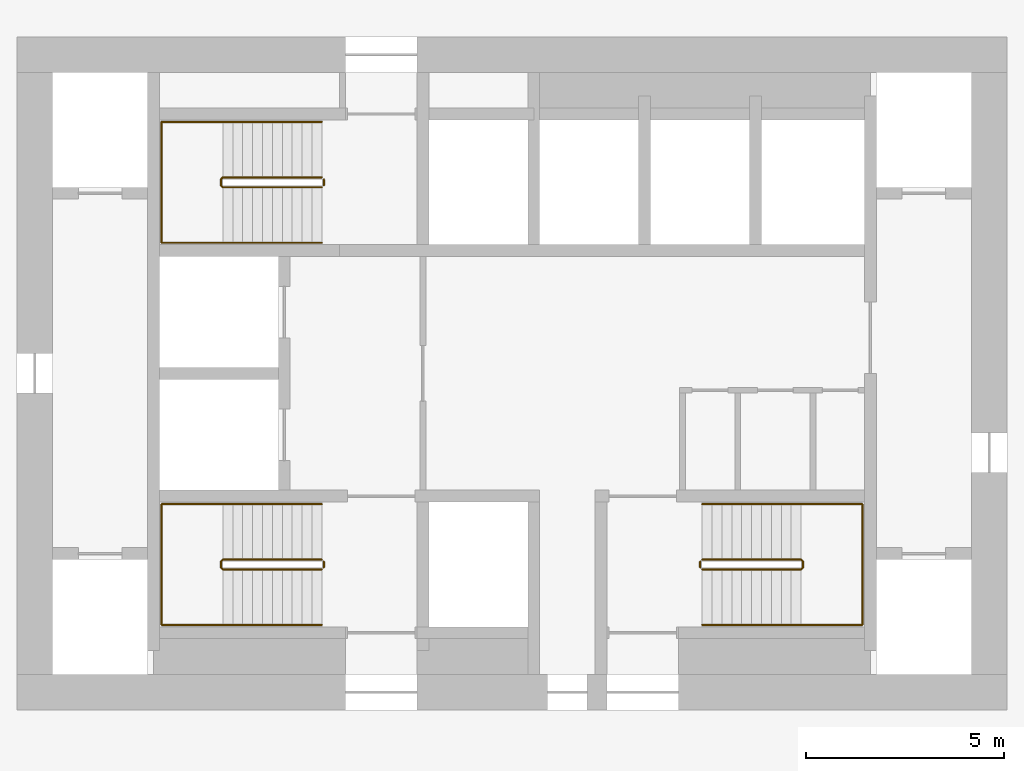
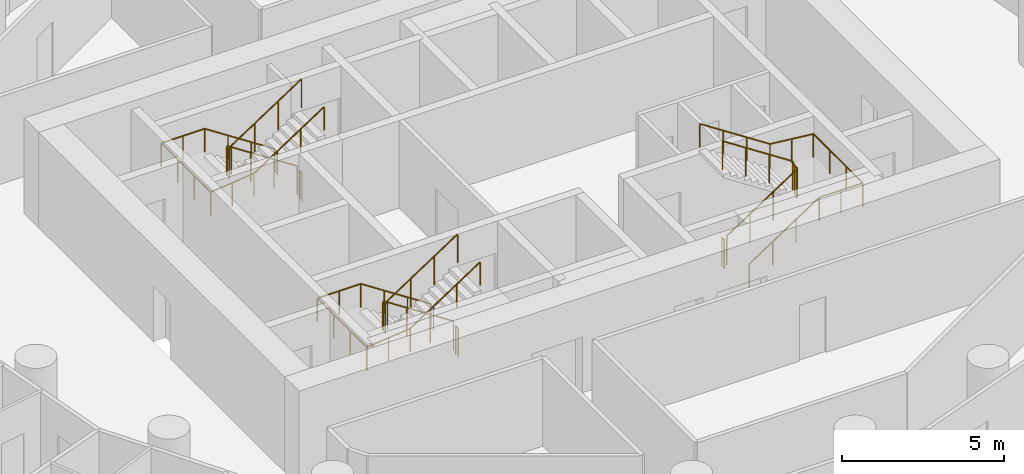
# One storey, part 9 of 9: 9 railings.
"""IFC4 building model written with IfcOpenShell, lengths in metres."""

from ifc_helpers import new_model, si_unit, direction, frame, origin, origin_2d, place, context, subcontext, project, spatial, circle, extrude, material, type_object, element, save


model = new_model("IFC4")

# Units and contexts
model_context = context("Model", 3, precision=1e-05, world=origin(), true_north=direction((0.0, 1.0)))
body_context = subcontext(model_context, "Body", "Model", "MODEL_VIEW")
ifc_project = project(units=[si_unit("LENGTHUNIT", "METRE"), si_unit("AREAUNIT", "SQUARE_METRE"), si_unit("VOLUMEUNIT", "CUBIC_METRE"), si_unit("PLANEANGLEUNIT", "RADIAN"), si_unit("MASSUNIT", "GRAM", prefix="KILO")], contexts=[model_context])

# Site, building, storey
site_placement = place(None, origin())
site = spatial("IfcSite", under=ifc_project, at=site_placement, CompositionType="ELEMENT")
building_placement = place(site_placement, origin())
building = spatial("IfcBuilding", under=site, at=building_placement, Name="Tracery Tower", CompositionType="ELEMENT")
storey_placement = place(building_placement, frame((0.0, 0.0, 208.800048828125)))
storey = spatial("IfcBuildingStorey", under=building, at=storey_placement, Name="L54", CompositionType="ELEMENT", Elevation=208.800048828125)

# Railings
ifc_material_1 = material(Name="Stainless steel and laminated glass", Category="steel")
railing_type_1 = type_object("IfcRailingType", Name="Stair guard 1100", PredefinedType="GUARDRAIL", material=ifc_material_1)
railing_1_placement = place(storey_placement, frame((-4.800048828125, -4.699951171875, 0.16357421875)))
element("IfcRailing", 1, at=railing_1_placement, inside=storey, type_object=railing_type_1, Name="L54 stair ST1 guard 1", PredefinedType="GUARDRAIL", context=body_context, shape_type="SweptSolid", body=[
    extrude(circle(Radius=0.02392578125, at=origin_2d()), frame((0.0, 0.0, 1.076171875), z_axis=(-0.83668449804, 0.0, 0.54768517484), x_axis=(0.0, -1.0, 0.0)), (0.0, 0.0, 1.0), 2.988037109375),
    extrude(circle(Radius=0.02392578125, at=origin_2d()), frame((-2.5, 0.0, 2.71240234375), z_axis=(-0.707106781187, -0.707106781187, 0.0), x_axis=(0.707106781187, -0.707106781187, 0.0)), (0.0, 0.0, 1.0), 0.07080078125),
    extrude(circle(Radius=0.02392578125, at=origin_2d()), frame((-2.550048828125, -0.050048828125, 2.71240234375), z_axis=(0.0, -1.0, 0.0), x_axis=(1.0, 0.0, 0.0)), (0.0, 0.0, 1.0), 0.14990234375),
    extrude(circle(Radius=0.02392578125, at=origin_2d()), frame((-2.550048828125, -0.199951171875, 2.71240234375), z_axis=(0.280808744504, -0.280808744504, 0.917765164963), x_axis=(0.707106781187, 0.707106781187, 0.0)), (0.0, 0.0, 1.0), 0.17822265625),
    extrude(circle(Radius=0.02392578125, at=origin_2d()), frame((-2.5, -0.25, 2.8759765625), z_axis=(0.836721939367, 0.0, 0.547627972425), x_axis=(0.0, 1.0, 0.0)), (0.0, 0.0, 1.0), 2.98779296875),
    extrude(circle(Radius=0.02099609375, at=origin_2d()), origin(), (0.0, 0.0, 1.0), 1.052001953125),
    extrude(circle(Radius=0.02099609375, at=origin_2d()), frame((-0.833251953125, 0.0, 0.54541015625)), (0.0, 0.0, 1.0), 1.052001953125),
    extrude(circle(Radius=0.02099609375, at=origin_2d()), frame((-1.666748046875, 0.0, 1.091064453125)), (0.0, 0.0, 1.0), 1.052001953125),
    extrude(circle(Radius=0.02099609375, at=origin_2d()), frame((-2.5, 0.0, 1.636474609375)), (0.0, 0.0, 1.0), 1.052001953125),
    extrude(circle(Radius=0.02099609375, at=origin_2d()), frame((-2.550048828125, -0.050048828125, 1.636474609375)), (0.0, 0.0, 1.0), 1.052001953125),
    extrude(circle(Radius=0.02099609375, at=origin_2d()), frame((-2.550048828125, -0.199951171875, 1.636474609375)), (0.0, 0.0, 1.0), 1.052001953125),
    extrude(circle(Radius=0.02099609375, at=origin_2d()), frame((-2.5, -0.25, 1.800048828125)), (0.0, 0.0, 1.0), 1.052001953125),
    extrude(circle(Radius=0.02099609375, at=origin_2d()), frame((-1.666748046875, -0.25, 2.345458984375)), (0.0, 0.0, 1.0), 1.052001953125),
    extrude(circle(Radius=0.02099609375, at=origin_2d()), frame((-0.833251953125, -0.25, 2.890869140625)), (0.0, 0.0, 1.0), 1.052001953125),
    extrude(circle(Radius=0.02099609375, at=origin_2d()), frame((0.0, -0.25, 3.436279296875)), (0.0, 0.0, 1.0), 1.052001953125),
])
railing_2_placement = place(storey_placement, frame((-4.75, -4.75, 0.0)))
element("IfcRailing", 2, at=railing_2_placement, inside=storey, type_object=railing_type_1, Name="L54 stair ST1 guard 2", PredefinedType="GUARDRAIL", context=body_context, shape_type="SweptSolid", body=[
    extrude(circle(Radius=0.02392578125, at=origin_2d()), frame((0.0, 0.0, 1.076171875), z_axis=(0.0, -1.0, 0.0), x_axis=(1.0, 0.0, 0.0)), (0.0, 0.0, 1.0), 0.14990234375),
    extrude(circle(Radius=0.02099609375, at=origin_2d()), origin(), (0.0, 0.0, 1.0), 1.052001953125),
    extrude(circle(Radius=0.02099609375, at=origin_2d()), frame((0.0, -0.14990234375, 0.0)), (0.0, 0.0, 1.0), 1.052001953125),
])
railing_3_placement = place(storey_placement, frame((-4.800048828125, 4.949951171875, 0.16357421875)))
element("IfcRailing", 3, at=railing_3_placement, inside=storey, type_object=railing_type_1, Name="L54 stair ST3 guard 1", PredefinedType="GUARDRAIL", context=body_context, shape_type="SweptSolid", body=[
    extrude(circle(Radius=0.02392578125, at=origin_2d()), frame((0.0, 0.0, 1.076171875), z_axis=(-0.83668449804, 0.0, 0.54768517484), x_axis=(0.0, -1.0, 0.0)), (0.0, 0.0, 1.0), 2.988037109375),
    extrude(circle(Radius=0.02392578125, at=origin_2d()), frame((-2.5, 0.0, 2.71240234375), z_axis=(-0.707106781187, -0.707106781187, 0.0), x_axis=(0.707106781187, -0.707106781187, 0.0)), (0.0, 0.0, 1.0), 0.07080078125),
    extrude(circle(Radius=0.02392578125, at=origin_2d()), frame((-2.550048828125, -0.050048828125, 2.71240234375), z_axis=(0.0, -1.0, 0.0), x_axis=(1.0, 0.0, 0.0)), (0.0, 0.0, 1.0), 0.14990234375),
    extrude(circle(Radius=0.02392578125, at=origin_2d()), frame((-2.550048828125, -0.199951171875, 2.71240234375), z_axis=(0.280808744504, -0.280808744504, 0.917765164963), x_axis=(0.707106781187, 0.707106781187, 0.0)), (0.0, 0.0, 1.0), 0.17822265625),
    extrude(circle(Radius=0.02392578125, at=origin_2d()), frame((-2.5, -0.25, 2.8759765625), z_axis=(0.836721939367, 0.0, 0.547627972425), x_axis=(0.0, 1.0, 0.0)), (0.0, 0.0, 1.0), 2.98779296875),
    extrude(circle(Radius=0.02099609375, at=origin_2d()), origin(), (0.0, 0.0, 1.0), 1.052001953125),
    extrude(circle(Radius=0.02099609375, at=origin_2d()), frame((-0.833251953125, 0.0, 0.54541015625)), (0.0, 0.0, 1.0), 1.052001953125),
    extrude(circle(Radius=0.02099609375, at=origin_2d()), frame((-1.666748046875, 0.0, 1.091064453125)), (0.0, 0.0, 1.0), 1.052001953125),
    extrude(circle(Radius=0.02099609375, at=origin_2d()), frame((-2.5, 0.0, 1.636474609375)), (0.0, 0.0, 1.0), 1.052001953125),
    extrude(circle(Radius=0.02099609375, at=origin_2d()), frame((-2.550048828125, -0.050048828125, 1.636474609375)), (0.0, 0.0, 1.0), 1.052001953125),
    extrude(circle(Radius=0.02099609375, at=origin_2d()), frame((-2.550048828125, -0.199951171875, 1.636474609375)), (0.0, 0.0, 1.0), 1.052001953125),
    extrude(circle(Radius=0.02099609375, at=origin_2d()), frame((-2.5, -0.25, 1.800048828125)), (0.0, 0.0, 1.0), 1.052001953125),
    extrude(circle(Radius=0.02099609375, at=origin_2d()), frame((-1.666748046875, -0.25, 2.345458984375)), (0.0, 0.0, 1.0), 1.052001953125),
    extrude(circle(Radius=0.02099609375, at=origin_2d()), frame((-0.833251953125, -0.25, 2.890869140625)), (0.0, 0.0, 1.0), 1.052001953125),
    extrude(circle(Radius=0.02099609375, at=origin_2d()), frame((0.0, -0.25, 3.436279296875)), (0.0, 0.0, 1.0), 1.052001953125),
])
railing_4_placement = place(storey_placement, frame((-4.75, 4.89990234375, 0.0)))
element("IfcRailing", 4, at=railing_4_placement, inside=storey, type_object=railing_type_1, Name="L54 stair ST3 guard 2", PredefinedType="GUARDRAIL", context=body_context, shape_type="SweptSolid", body=[
    extrude(circle(Radius=0.02392578125, at=origin_2d()), frame((0.0, 0.0, 1.076171875), z_axis=(0.0, -1.0, 0.0), x_axis=(1.0, 0.0, 0.0)), (0.0, 0.0, 1.0), 0.14990234375),
    extrude(circle(Radius=0.02099609375, at=origin_2d()), origin(), (0.0, 0.0, 1.0), 1.052001953125),
    extrude(circle(Radius=0.02099609375, at=origin_2d()), frame((0.0, -0.14990234375, 0.0)), (0.0, 0.0, 1.0), 1.052001953125),
])
railing_5_placement = place(storey_placement, frame((4.800048828125, -4.949951171875, 0.16357421875)))
element("IfcRailing", 5, at=railing_5_placement, inside=storey, type_object=railing_type_1, Name="L54 stair ST2 guard 1", PredefinedType="GUARDRAIL", context=body_context, shape_type="SweptSolid", body=[
    extrude(circle(Radius=0.02392578125, at=origin_2d()), frame((0.0, 0.0, 1.076171875), z_axis=(0.83668449804, 0.0, 0.54768517484), x_axis=(0.0, 1.0, 0.0)), (0.0, 0.0, 1.0), 2.988037109375),
    extrude(circle(Radius=0.02392578125, at=origin_2d()), frame((2.5, 0.0, 2.71240234375), z_axis=(0.707106781187, 0.707106781187, 0.0), x_axis=(-0.707106781187, 0.707106781187, 0.0)), (0.0, 0.0, 1.0), 0.07080078125),
    extrude(circle(Radius=0.02392578125, at=origin_2d()), frame((2.550048828125, 0.050048828125, 2.71240234375), z_axis=(0.0, 1.0, 0.0), x_axis=(-1.0, 0.0, 0.0)), (0.0, 0.0, 1.0), 0.14990234375),
    extrude(circle(Radius=0.02392578125, at=origin_2d()), frame((2.550048828125, 0.199951171875, 2.71240234375), z_axis=(-0.280808744504, 0.280808744504, 0.917765164963), x_axis=(-0.707106781187, -0.707106781187, 0.0)), (0.0, 0.0, 1.0), 0.17822265625),
    extrude(circle(Radius=0.02392578125, at=origin_2d()), frame((2.5, 0.25, 2.8759765625), z_axis=(-0.836721939367, 0.0, 0.547627972425), x_axis=(0.0, -1.0, 0.0)), (0.0, 0.0, 1.0), 2.98779296875),
    extrude(circle(Radius=0.02099609375, at=origin_2d()), origin(), (0.0, 0.0, 1.0), 1.052001953125),
    extrude(circle(Radius=0.02099609375, at=origin_2d()), frame((0.833251953125, 0.0, 0.54541015625)), (0.0, 0.0, 1.0), 1.052001953125),
    extrude(circle(Radius=0.02099609375, at=origin_2d()), frame((1.666748046875, 0.0, 1.091064453125)), (0.0, 0.0, 1.0), 1.052001953125),
    extrude(circle(Radius=0.02099609375, at=origin_2d()), frame((2.5, 0.0, 1.636474609375)), (0.0, 0.0, 1.0), 1.052001953125),
    extrude(circle(Radius=0.02099609375, at=origin_2d()), frame((2.550048828125, 0.050048828125, 1.636474609375)), (0.0, 0.0, 1.0), 1.052001953125),
    extrude(circle(Radius=0.02099609375, at=origin_2d()), frame((2.550048828125, 0.199951171875, 1.636474609375)), (0.0, 0.0, 1.0), 1.052001953125),
    extrude(circle(Radius=0.02099609375, at=origin_2d()), frame((2.5, 0.25, 1.800048828125)), (0.0, 0.0, 1.0), 1.052001953125),
    extrude(circle(Radius=0.02099609375, at=origin_2d()), frame((1.666748046875, 0.25, 2.345458984375)), (0.0, 0.0, 1.0), 1.052001953125),
    extrude(circle(Radius=0.02099609375, at=origin_2d()), frame((0.833251953125, 0.25, 2.890869140625)), (0.0, 0.0, 1.0), 1.052001953125),
    extrude(circle(Radius=0.02099609375, at=origin_2d()), frame((0.0, 0.25, 3.436279296875)), (0.0, 0.0, 1.0), 1.052001953125),
])
railing_6_placement = place(storey_placement, frame((4.75, -4.89990234375, 0.0)))
element("IfcRailing", 6, at=railing_6_placement, inside=storey, type_object=railing_type_1, Name="L54 stair ST2 guard 2", PredefinedType="GUARDRAIL", context=body_context, shape_type="SweptSolid", body=[
    extrude(circle(Radius=0.02392578125, at=origin_2d()), frame((0.0, 0.0, 1.076171875), z_axis=(0.0, 1.0, 0.0), x_axis=(-1.0, 0.0, 0.0)), (0.0, 0.0, 1.0), 0.14990234375),
    extrude(circle(Radius=0.02099609375, at=origin_2d()), origin(), (0.0, 0.0, 1.0), 1.052001953125),
    extrude(circle(Radius=0.02099609375, at=origin_2d()), frame((0.0, 0.14990234375, 0.0)), (0.0, 0.0, 1.0), 1.052001953125),
])
ifc_material_2 = material(Name="Stainless steel and laminated glass", Category="steel")
railing_type_2 = type_object("IfcRailingType", Name="Stair handrail 900", PredefinedType="HANDRAIL", material=ifc_material_2)
railing_7_placement = place(storey_placement, frame((-4.800048828125, -3.300048828125, 0.16357421875)))
element("IfcRailing", 7, at=railing_7_placement, inside=storey, type_object=railing_type_2, Name="L54 stair ST1 handrail 1", PredefinedType="HANDRAIL", context=body_context, shape_type="SweptSolid", body=[
    extrude(circle(Radius=0.02392578125, at=origin_2d()), frame((0.0, 0.0, 0.8759765625), z_axis=(-0.83668449804, 0.0, 0.54768517484), x_axis=(0.0, -1.0, 0.0)), (0.0, 0.0, 1.0), 2.988037109375),
    extrude(circle(Radius=0.02392578125, at=origin_2d()), frame((-2.5, 0.0, 2.51220703125), z_axis=(-1.0, 0.0, 0.0), x_axis=(0.0, -1.0, 0.0)), (0.0, 0.0, 1.0), 1.550048828125),
    extrude(circle(Radius=0.02392578125, at=origin_2d()), frame((-4.050048828125, 0.0, 2.51220703125), z_axis=(0.0, -1.0, 0.0), x_axis=(1.0, 0.0, 0.0)), (0.0, 0.0, 1.0), 3.050048828125),
    extrude(circle(Radius=0.02392578125, at=origin_2d()), frame((-4.050048828125, -3.050048828125, 2.51220703125), z_axis=(0.994477953863, 0.0, 0.104945696817), x_axis=(0.0, 1.0, 0.0)), (0.0, 0.0, 1.0), 1.55859375),
    extrude(circle(Radius=0.02392578125, at=origin_2d()), frame((-2.5, -3.050048828125, 2.67578125), z_axis=(0.836721939367, 0.0, 0.547627972425), x_axis=(0.0, 1.0, 0.0)), (0.0, 0.0, 1.0), 2.98779296875),
    extrude(circle(Radius=0.02099609375, at=origin_2d()), origin(), (0.0, 0.0, 1.0), 0.851806640625),
    extrude(circle(Radius=0.02099609375, at=origin_2d()), frame((-0.833251953125, 0.0, 0.54541015625)), (0.0, 0.0, 1.0), 0.851806640625),
    extrude(circle(Radius=0.02099609375, at=origin_2d()), frame((-1.666748046875, 0.0, 1.091064453125)), (0.0, 0.0, 1.0), 0.851806640625),
    extrude(circle(Radius=0.02099609375, at=origin_2d()), frame((-2.5, 0.0, 1.636474609375)), (0.0, 0.0, 1.0), 0.851806640625),
    extrude(circle(Radius=0.02099609375, at=origin_2d()), frame((-3.27490234375, 0.0, 1.636474609375)), (0.0, 0.0, 1.0), 0.851806640625),
    extrude(circle(Radius=0.02099609375, at=origin_2d()), frame((-4.050048828125, 0.0, 1.636474609375)), (0.0, 0.0, 1.0), 0.851806640625),
    extrude(circle(Radius=0.02099609375, at=origin_2d()), frame((-4.050048828125, -1.0166015625, 1.636474609375)), (0.0, 0.0, 1.0), 0.851806640625),
    extrude(circle(Radius=0.02099609375, at=origin_2d()), frame((-4.050048828125, -2.033447265625, 1.636474609375)), (0.0, 0.0, 1.0), 0.851806640625),
    extrude(circle(Radius=0.02099609375, at=origin_2d()), frame((-4.050048828125, -3.050048828125, 1.636474609375)), (0.0, 0.0, 1.0), 0.851806640625),
    extrude(circle(Radius=0.02099609375, at=origin_2d()), frame((-3.27490234375, -3.050048828125, 1.71826171875)), (0.0, 0.0, 1.0), 0.851806640625),
    extrude(circle(Radius=0.02099609375, at=origin_2d()), frame((-2.5, -3.050048828125, 1.800048828125)), (0.0, 0.0, 1.0), 0.851806640625),
    extrude(circle(Radius=0.02099609375, at=origin_2d()), frame((-1.666748046875, -3.050048828125, 2.345458984375)), (0.0, 0.0, 1.0), 0.851806640625),
    extrude(circle(Radius=0.02099609375, at=origin_2d()), frame((-0.833251953125, -3.050048828125, 2.890869140625)), (0.0, 0.0, 1.0), 0.851806640625),
    extrude(circle(Radius=0.02099609375, at=origin_2d()), frame((0.0, -3.050048828125, 3.436279296875)), (0.0, 0.0, 1.0), 0.851806640625),
])
railing_8_placement = place(storey_placement, frame((-4.800048828125, 6.35009765625, 0.16357421875)))
element("IfcRailing", 8, at=railing_8_placement, inside=storey, type_object=railing_type_2, Name="L54 stair ST3 handrail 1", PredefinedType="HANDRAIL", context=body_context, shape_type="SweptSolid", body=[
    extrude(circle(Radius=0.02392578125, at=origin_2d()), frame((0.0, 0.0, 0.8759765625), z_axis=(-0.83668449804, 0.0, 0.54768517484), x_axis=(0.0, -1.0, 0.0)), (0.0, 0.0, 1.0), 2.988037109375),
    extrude(circle(Radius=0.02392578125, at=origin_2d()), frame((-2.5, 0.0, 2.51220703125), z_axis=(-1.0, 0.0, 0.0), x_axis=(0.0, -1.0, 0.0)), (0.0, 0.0, 1.0), 1.550048828125),
    extrude(circle(Radius=0.02392578125, at=origin_2d()), frame((-4.050048828125, 0.0, 2.51220703125), z_axis=(0.0, -1.0, 0.0), x_axis=(1.0, 0.0, 0.0)), (0.0, 0.0, 1.0), 3.050048828125),
    extrude(circle(Radius=0.02392578125, at=origin_2d()), frame((-4.050048828125, -3.050048828125, 2.51220703125), z_axis=(0.994477953863, 0.0, 0.104945696817), x_axis=(0.0, 1.0, 0.0)), (0.0, 0.0, 1.0), 1.55859375),
    extrude(circle(Radius=0.02392578125, at=origin_2d()), frame((-2.5, -3.050048828125, 2.67578125), z_axis=(0.836721939367, 0.0, 0.547627972425), x_axis=(0.0, 1.0, 0.0)), (0.0, 0.0, 1.0), 2.98779296875),
    extrude(circle(Radius=0.02099609375, at=origin_2d()), origin(), (0.0, 0.0, 1.0), 0.851806640625),
    extrude(circle(Radius=0.02099609375, at=origin_2d()), frame((-0.833251953125, 0.0, 0.54541015625)), (0.0, 0.0, 1.0), 0.851806640625),
    extrude(circle(Radius=0.02099609375, at=origin_2d()), frame((-1.666748046875, 0.0, 1.091064453125)), (0.0, 0.0, 1.0), 0.851806640625),
    extrude(circle(Radius=0.02099609375, at=origin_2d()), frame((-2.5, 0.0, 1.636474609375)), (0.0, 0.0, 1.0), 0.851806640625),
    extrude(circle(Radius=0.02099609375, at=origin_2d()), frame((-3.27490234375, 0.0, 1.636474609375)), (0.0, 0.0, 1.0), 0.851806640625),
    extrude(circle(Radius=0.02099609375, at=origin_2d()), frame((-4.050048828125, 0.0, 1.636474609375)), (0.0, 0.0, 1.0), 0.851806640625),
    extrude(circle(Radius=0.02099609375, at=origin_2d()), frame((-4.050048828125, -1.0166015625, 1.636474609375)), (0.0, 0.0, 1.0), 0.851806640625),
    extrude(circle(Radius=0.02099609375, at=origin_2d()), frame((-4.050048828125, -2.033447265625, 1.636474609375)), (0.0, 0.0, 1.0), 0.851806640625),
    extrude(circle(Radius=0.02099609375, at=origin_2d()), frame((-4.050048828125, -3.050048828125, 1.636474609375)), (0.0, 0.0, 1.0), 0.851806640625),
    extrude(circle(Radius=0.02099609375, at=origin_2d()), frame((-3.27490234375, -3.050048828125, 1.71826171875)), (0.0, 0.0, 1.0), 0.851806640625),
    extrude(circle(Radius=0.02099609375, at=origin_2d()), frame((-2.5, -3.050048828125, 1.800048828125)), (0.0, 0.0, 1.0), 0.851806640625),
    extrude(circle(Radius=0.02099609375, at=origin_2d()), frame((-1.666748046875, -3.050048828125, 2.345458984375)), (0.0, 0.0, 1.0), 0.851806640625),
    extrude(circle(Radius=0.02099609375, at=origin_2d()), frame((-0.833251953125, -3.050048828125, 2.890869140625)), (0.0, 0.0, 1.0), 0.851806640625),
    extrude(circle(Radius=0.02099609375, at=origin_2d()), frame((0.0, -3.050048828125, 3.436279296875)), (0.0, 0.0, 1.0), 0.851806640625),
])
railing_9_placement = place(storey_placement, frame((4.800048828125, -6.35009765625, 0.16357421875)))
element("IfcRailing", 9, at=railing_9_placement, inside=storey, type_object=railing_type_2, Name="L54 stair ST2 handrail 1", PredefinedType="HANDRAIL", context=body_context, shape_type="SweptSolid", body=[
    extrude(circle(Radius=0.02392578125, at=origin_2d()), frame((0.0, 0.0, 0.8759765625), z_axis=(0.83668449804, 0.0, 0.54768517484), x_axis=(0.0, 1.0, 0.0)), (0.0, 0.0, 1.0), 2.988037109375),
    extrude(circle(Radius=0.02392578125, at=origin_2d()), frame((2.5, 0.0, 2.51220703125), z_axis=(1.0, 0.0, 0.0), x_axis=(0.0, 1.0, 0.0)), (0.0, 0.0, 1.0), 1.550048828125),
    extrude(circle(Radius=0.02392578125, at=origin_2d()), frame((4.050048828125, 0.0, 2.51220703125), z_axis=(0.0, 1.0, 0.0), x_axis=(-1.0, 0.0, 0.0)), (0.0, 0.0, 1.0), 3.050048828125),
    extrude(circle(Radius=0.02392578125, at=origin_2d()), frame((4.050048828125, 3.050048828125, 2.51220703125), z_axis=(-0.994477953863, 0.0, 0.104945696817), x_axis=(0.0, -1.0, 0.0)), (0.0, 0.0, 1.0), 1.55859375),
    extrude(circle(Radius=0.02392578125, at=origin_2d()), frame((2.5, 3.050048828125, 2.67578125), z_axis=(-0.836721939367, 0.0, 0.547627972425), x_axis=(0.0, -1.0, 0.0)), (0.0, 0.0, 1.0), 2.98779296875),
    extrude(circle(Radius=0.02099609375, at=origin_2d()), origin(), (0.0, 0.0, 1.0), 0.851806640625),
    extrude(circle(Radius=0.02099609375, at=origin_2d()), frame((0.833251953125, 0.0, 0.54541015625)), (0.0, 0.0, 1.0), 0.851806640625),
    extrude(circle(Radius=0.02099609375, at=origin_2d()), frame((1.666748046875, 0.0, 1.091064453125)), (0.0, 0.0, 1.0), 0.851806640625),
    extrude(circle(Radius=0.02099609375, at=origin_2d()), frame((2.5, 0.0, 1.636474609375)), (0.0, 0.0, 1.0), 0.851806640625),
    extrude(circle(Radius=0.02099609375, at=origin_2d()), frame((3.27490234375, 0.0, 1.636474609375)), (0.0, 0.0, 1.0), 0.851806640625),
    extrude(circle(Radius=0.02099609375, at=origin_2d()), frame((4.050048828125, 0.0, 1.636474609375)), (0.0, 0.0, 1.0), 0.851806640625),
    extrude(circle(Radius=0.02099609375, at=origin_2d()), frame((4.050048828125, 1.0166015625, 1.636474609375)), (0.0, 0.0, 1.0), 0.851806640625),
    extrude(circle(Radius=0.02099609375, at=origin_2d()), frame((4.050048828125, 2.033447265625, 1.636474609375)), (0.0, 0.0, 1.0), 0.851806640625),
    extrude(circle(Radius=0.02099609375, at=origin_2d()), frame((4.050048828125, 3.050048828125, 1.636474609375)), (0.0, 0.0, 1.0), 0.851806640625),
    extrude(circle(Radius=0.02099609375, at=origin_2d()), frame((3.27490234375, 3.050048828125, 1.71826171875)), (0.0, 0.0, 1.0), 0.851806640625),
    extrude(circle(Radius=0.02099609375, at=origin_2d()), frame((2.5, 3.050048828125, 1.800048828125)), (0.0, 0.0, 1.0), 0.851806640625),
    extrude(circle(Radius=0.02099609375, at=origin_2d()), frame((1.666748046875, 3.050048828125, 2.345458984375)), (0.0, 0.0, 1.0), 0.851806640625),
    extrude(circle(Radius=0.02099609375, at=origin_2d()), frame((0.833251953125, 3.050048828125, 2.890869140625)), (0.0, 0.0, 1.0), 0.851806640625),
    extrude(circle(Radius=0.02099609375, at=origin_2d()), frame((0.0, 3.050048828125, 3.436279296875)), (0.0, 0.0, 1.0), 0.851806640625),
])

save(model, "model.ifc")
